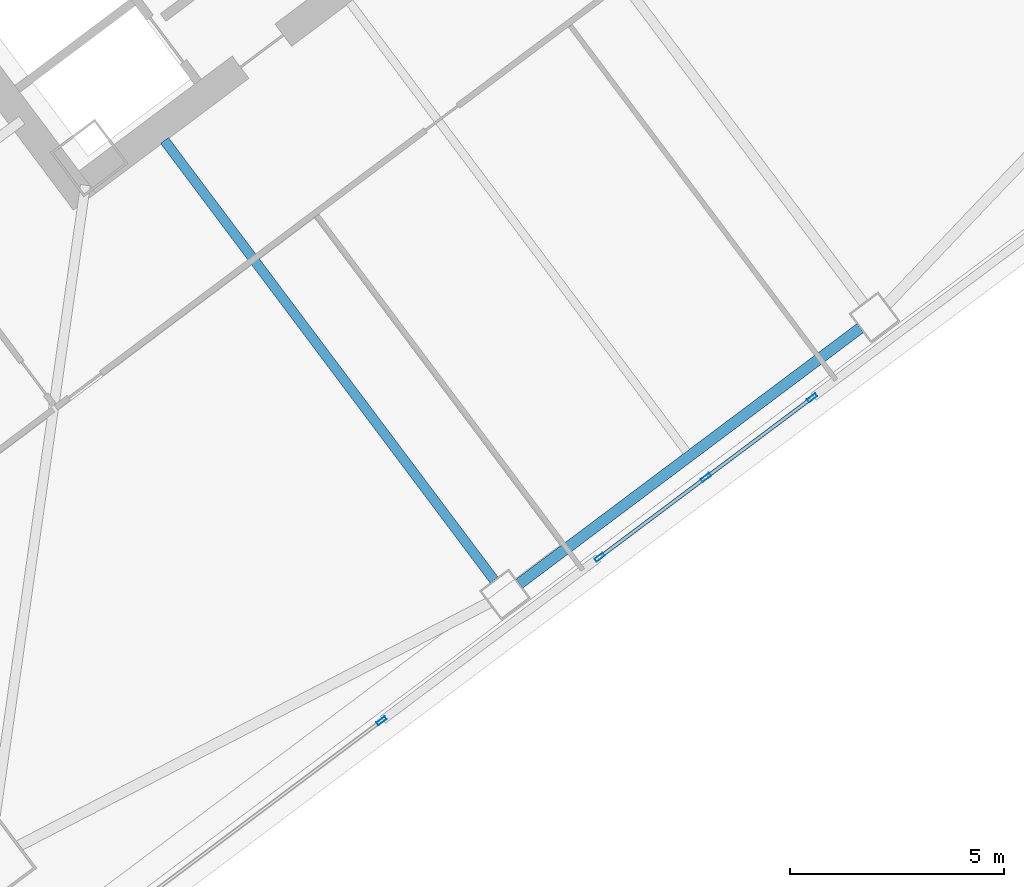
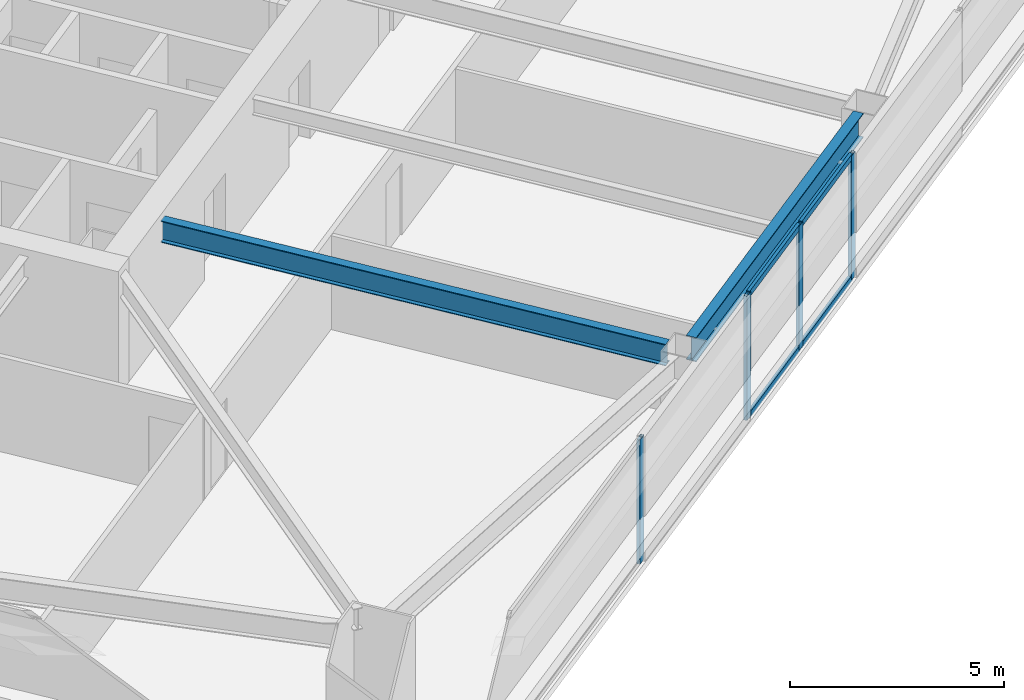
# One storey, part 21 of 45: 8 members, 2 beams, 2 elements without a shape of their own.
"""IFC4 building model written with IfcOpenShell, lengths in metres."""

from ifc_helpers import new_model, si_unit, direction, frame, origin, origin_2d, place, context, subcontext, project, spatial, hollow_rectangle, i_section, extrude, material, material_profile, profile_set, type_object, element, aggregate, save


model = new_model("IFC4")

# Units and contexts
model_context = context("Model", 3, precision=1e-05, world=origin(), true_north=direction((0.0, 1.0)))
body_context = subcontext(model_context, "Body", "Model", "MODEL_VIEW")
ifc_project = project(units=[si_unit("LENGTHUNIT", "METRE"), si_unit("AREAUNIT", "SQUARE_METRE"), si_unit("VOLUMEUNIT", "CUBIC_METRE"), si_unit("PLANEANGLEUNIT", "RADIAN"), si_unit("MASSUNIT", "GRAM", prefix="KILO")], contexts=[model_context])

# Site, building, storey
site_placement = place(None, origin())
site = spatial("IfcSite", under=ifc_project, at=site_placement, CompositionType="ELEMENT")
building_placement = place(site_placement, origin())
building = spatial("IfcBuilding", under=site, at=building_placement, Name="Tashvorn Skyway Center", CompositionType="ELEMENT")
storey_placement = place(building_placement, frame((0.0, 0.0, 35.25)))
storey = spatial("IfcBuildingStorey", under=building, at=storey_placement, Name="L08", CompositionType="ELEMENT", Elevation=35.25)

# Beams
ifc_material_1 = material(Name="Steel ASTM A992 Grade 50", Category="steel")
ifc_material_profile_1 = material_profile(ifc_material_1, i_section(OverallWidth=0.22998046875, OverallDepth=0.616943359375, WebThickness=0.01318359375, FlangeThickness=0.022216796875, at=origin_2d()), Name="W24X94")
ifc_profile_set_1 = profile_set([ifc_material_profile_1], Name="Steel ASTM A992 Grade 50")
beam_type_1 = type_object("IfcBeamType", Name="BM-BEAM-W24X94", PredefinedType="BEAM", material=ifc_profile_set_1)
beam_1_placement = place(storey_placement, frame((122.05810546875, 12.256103515625, 3.04150390625), z_axis=(-0.600018239213, 0.799986320265, 0.0), x_axis=(-0.799986320265, -0.600018239213, 0.0)))
element("IfcBeam", 1, at=beam_1_placement, inside=storey, type_object=beam_type_1, Name="Tower 2 L08 Primary Floor Girder FC-S1", PredefinedType="BEAM", context=body_context, shape_type="SweptSolid", body=[
    extrude(i_section(OverallWidth=0.22998046875, OverallDepth=0.616943359375, WebThickness=0.01318359375, FlangeThickness=0.022216796875, at=origin_2d()), origin(), (0.0, 0.0, 1.0), 12.849853515625),
])
ifc_material_profile_2 = material_profile(ifc_material_1, i_section(OverallWidth=0.256103515625, OverallDepth=0.693115234375, WebThickness=0.014404296875, FlangeThickness=0.023681640625, at=origin_2d()), Name="W27X114")
ifc_profile_set_2 = profile_set([ifc_material_profile_2], Name="Steel ASTM A992 Grade 50")
beam_type_2 = type_object("IfcBeamType", Name="BM-SPANDREL-W27X114", PredefinedType="SPANDREL", material=ifc_profile_set_2)
beam_2_placement = place(storey_placement, frame((122.64599609375, 12.172119140625, 3.00341796875), z_axis=(0.800008824351, 0.599988234018, 0.0), x_axis=(-0.599988234018, 0.800008824351, 0.0)))
element("IfcBeam", 2, at=beam_2_placement, inside=storey, type_object=beam_type_2, Name="Tower 2 L08 Spandrel Beam 02", PredefinedType="SPANDREL", context=body_context, shape_type="SweptSolid", body=[
    extrude(i_section(OverallWidth=0.256103515625, OverallDepth=0.693115234375, WebThickness=0.014404296875, FlangeThickness=0.023681640625, at=origin_2d()), origin(), (0.0, 0.0, 1.0), 9.9599609375),
])

# Curtain wall, members
ifc_material_2 = material(Name="Thermally broken bronze-anodized aluminium 6063-T6", Category="aluminium")
curtain_wall_type = type_object("IfcCurtainWallType", Name="CW-CW-Z1", PredefinedType="NOTDEFINED", material=ifc_material_2)
curtain_wall_1_placement = place(storey_placement, origin())
curtain_wall_1 = element("IfcCurtainWall", 3, at=curtain_wall_1_placement, inside=storey, type_object=curtain_wall_type, Name="Tower 2 L08 South Unitised Curtain Wall Glazing Group 2", PredefinedType="NOTDEFINED")
ifc_material_profile_3 = material_profile(ifc_material_2, hollow_rectangle(XDim=0.0849609375, YDim=0.239990234375, WallThickness=0.0048828125, at=origin_2d()), Name="ALU-MULL-85x240")
ifc_profile_set_3 = profile_set([ifc_material_profile_3], Name="Thermally broken bronze-anodized aluminium 6063-T6")
member_type_1 = type_object("IfcMemberType", Name="CWM-CW-Z1", PredefinedType="MULLION", material=ifc_profile_set_3)
member_1_placement = place(storey_placement, frame((129.4912109375, 16.5185546875, 0.0), z_axis=(0.0, 0.0, 1.0), x_axis=(0.600005084776, -0.799996186392, 0.0)))
member_1 = element("IfcMember", 4, at=member_1_placement, type_object=member_type_1, Name="CW-Z1 mullion 1", PredefinedType="MULLION", context=body_context, shape_type="SweptSolid", body=[
    extrude(hollow_rectangle(XDim=0.0849609375, YDim=0.239990234375, WallThickness=0.0048828125, at=origin_2d()), origin(), (0.0, 0.0, 1.0), 3.550048828125),
])
member_2_placement = place(storey_placement, frame((127.008056640625, 14.656005859375, 0.0), z_axis=(0.0, 0.0, 1.0), x_axis=(0.600005084776, -0.799996186392, 0.0)))
member_2 = element("IfcMember", 5, at=member_2_placement, type_object=member_type_1, Name="CW-Z1 mullion 2", PredefinedType="MULLION", context=body_context, shape_type="SweptSolid", body=[
    extrude(hollow_rectangle(XDim=0.0849609375, YDim=0.239990234375, WallThickness=0.0048828125, at=origin_2d()), origin(), (0.0, 0.0, 1.0), 3.550048828125),
])
member_3_placement = place(storey_placement, frame((124.524658203125, 12.79345703125, 0.0), z_axis=(0.0, 0.0, 1.0), x_axis=(0.600005084776, -0.799996186392, 0.0)))
member_3 = element("IfcMember", 6, at=member_3_placement, type_object=member_type_1, Name="CW-Z1 mullion 3", PredefinedType="MULLION", context=body_context, shape_type="SweptSolid", body=[
    extrude(hollow_rectangle(XDim=0.0849609375, YDim=0.239990234375, WallThickness=0.0048828125, at=origin_2d()), origin(), (0.0, 0.0, 1.0), 3.550048828125),
])

# Curtain wall, member
curtain_wall_2_placement = place(storey_placement, origin())
curtain_wall_2 = element("IfcCurtainWall", 7, at=curtain_wall_2_placement, inside=storey, type_object=curtain_wall_type, Name="Tower 2 L08 South Unitised Curtain Wall Glazing Group 3", PredefinedType="NOTDEFINED")
member_4_placement = place(storey_placement, frame((119.422119140625, 8.966552734375, 0.0), z_axis=(0.0, 0.0, 1.0), x_axis=(0.600000000002, -0.799999999998, 0.0)))
member_4 = element("IfcMember", 8, at=member_4_placement, type_object=member_type_1, Name="CW-Z1 mullion 1", PredefinedType="MULLION", context=body_context, shape_type="SweptSolid", body=[
    extrude(hollow_rectangle(XDim=0.0849609375, YDim=0.239990234375, WallThickness=0.0048828125, at=origin_2d()), origin(), (0.0, 0.0, 1.0), 3.550048828125),
])
aggregate(curtain_wall_2, [member_4])

# Member
ifc_material_profile_4 = material_profile(ifc_material_2, hollow_rectangle(XDim=0.0849609375, YDim=0.1650390625, WallThickness=0.0048828125, at=origin_2d()), Name="ALU-TRAN-85x165")
ifc_profile_set_4 = profile_set([ifc_material_profile_4], Name="Thermally broken bronze-anodized aluminium 6063-T6")
member_type_2 = type_object("IfcMemberType", Name="CWT-CW-Z1", PredefinedType="USERDEFINED", material=ifc_profile_set_4)
member_5_placement = place(storey_placement, frame((129.457275390625, 16.492919921875, 0.04248046875), z_axis=(-0.799990296182, -0.600012938206, 0.0), x_axis=(0.600012938206, -0.799990296182, 0.0)))
member_5 = element("IfcMember", 9, at=member_5_placement, type_object=member_type_2, Name="CW-Z1 transom 1.1", ObjectType="TRANSOM", PredefinedType="USERDEFINED", context=body_context, shape_type="SweptSolid", body=[
    extrude(hollow_rectangle(XDim=0.0849609375, YDim=0.1650390625, WallThickness=0.0048828125, at=origin_2d()), origin(), (0.0, 0.0, 1.0), 3.01904296875),
])

member_6_placement = place(storey_placement, frame((129.457275390625, 16.492919921875, 3.507568359375), z_axis=(-0.799990296182, -0.600012938206, 0.0), x_axis=(0.600012938206, -0.799990296182, 0.0)))
member_6 = element("IfcMember", 10, at=member_6_placement, type_object=member_type_2, Name="CW-Z1 transom 1.2", ObjectType="TRANSOM", PredefinedType="USERDEFINED", context=body_context, shape_type="SweptSolid", body=[
    extrude(hollow_rectangle(XDim=0.0849609375, YDim=0.1650390625, WallThickness=0.0048828125, at=origin_2d()), origin(), (0.0, 0.0, 1.0), 3.01904296875),
])

member_7_placement = place(storey_placement, frame((126.97412109375, 14.630615234375, 0.04248046875), z_axis=(-0.800019405753, -0.599974124791, 0.0), x_axis=(0.599974124791, -0.800019405753, 0.0)))
member_7 = element("IfcMember", 11, at=member_7_placement, type_object=member_type_2, Name="CW-Z1 transom 2.1", ObjectType="TRANSOM", PredefinedType="USERDEFINED", context=body_context, shape_type="SweptSolid", body=[
    extrude(hollow_rectangle(XDim=0.0849609375, YDim=0.1650390625, WallThickness=0.0048828125, at=origin_2d()), origin(), (0.0, 0.0, 1.0), 3.019287109375),
])

member_8_placement = place(storey_placement, frame((126.97412109375, 14.630615234375, 3.507568359375), z_axis=(-0.800019405753, -0.599974124791, 0.0), x_axis=(0.599974124791, -0.800019405753, 0.0)))
member_8 = element("IfcMember", 12, at=member_8_placement, type_object=member_type_2, Name="CW-Z1 transom 2.2", ObjectType="TRANSOM", PredefinedType="USERDEFINED", context=body_context, shape_type="SweptSolid", body=[
    extrude(hollow_rectangle(XDim=0.0849609375, YDim=0.1650390625, WallThickness=0.0048828125, at=origin_2d()), origin(), (0.0, 0.0, 1.0), 3.019287109375),
])

aggregate(curtain_wall_1, [member_1, member_2, member_3, member_5, member_6, member_7, member_8])

save(model, "model.ifc")
